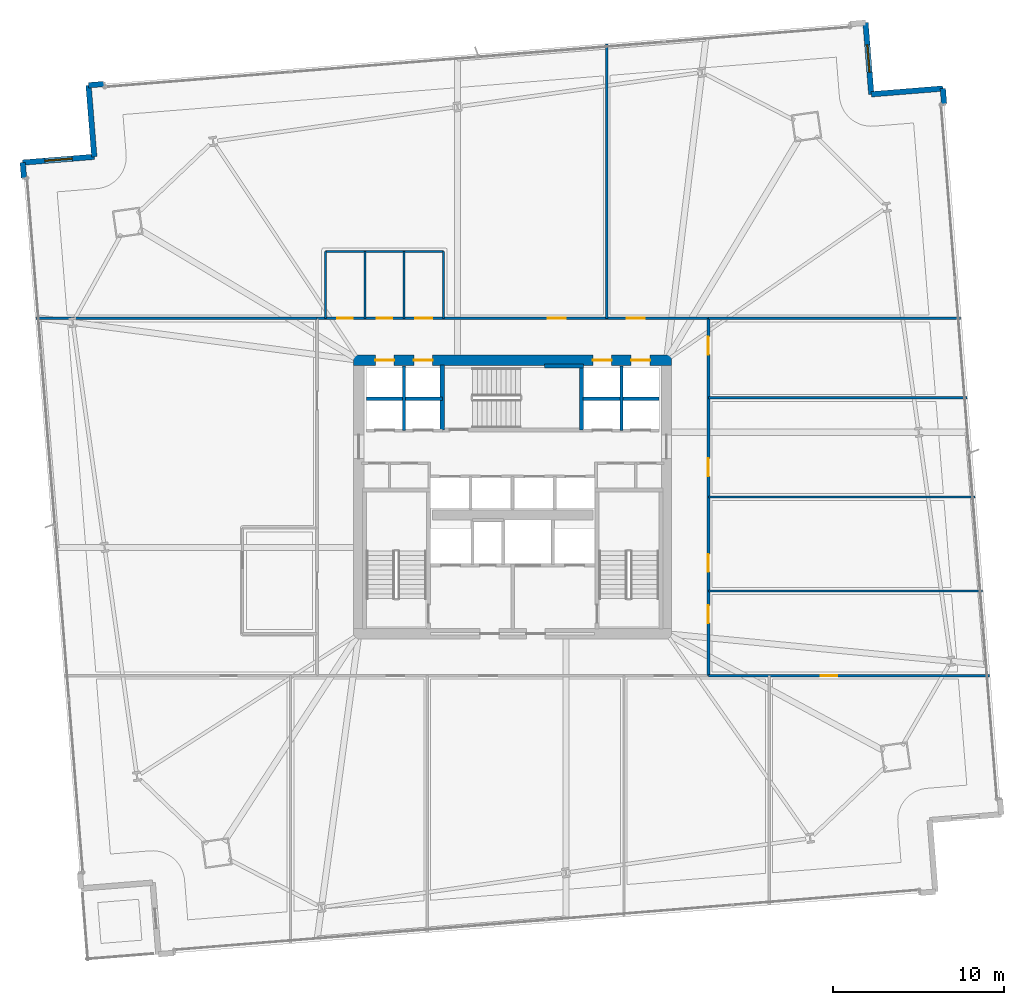
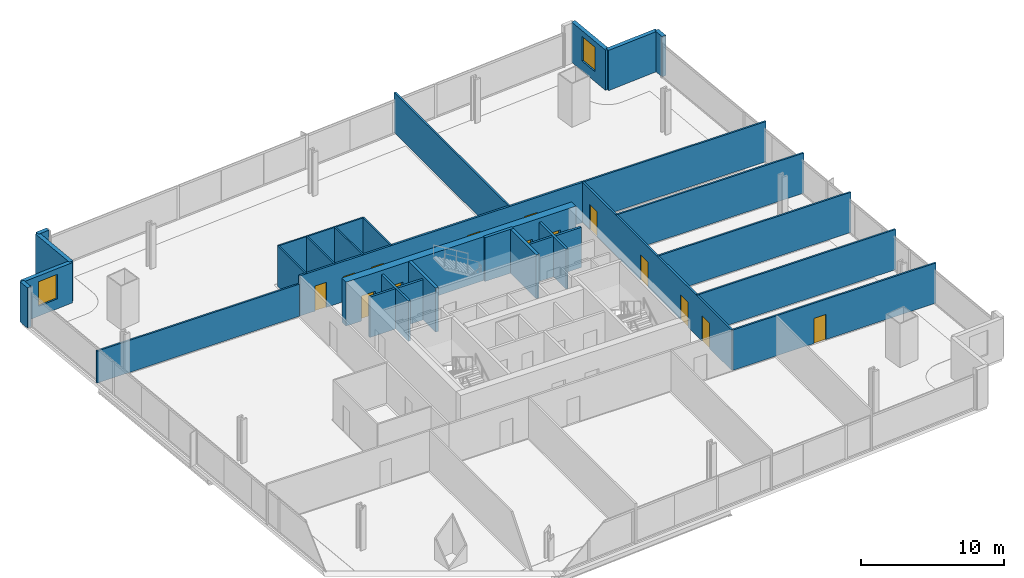
# One storey, part 27 of 33: 29 walls, 14 doors, 2 windows, 16 openings.
"""IFC4 building model written with IfcOpenShell, lengths in metres."""

from ifc_helpers import new_model, si_unit, direction, frame, frame_2d, origin, place, context, subcontext, project, spatial, rectangle, extrude, material, layer, layer_set, type_object, element, fill, save


model = new_model("IFC4")

# Units and contexts
model_context = context("Model", 3, precision=1e-05, world=origin(), true_north=direction((0.0, 1.0)))
body_context = subcontext(model_context, "Body", "Model", "MODEL_VIEW")
ifc_project = project(units=[si_unit("LENGTHUNIT", "METRE"), si_unit("AREAUNIT", "SQUARE_METRE"), si_unit("VOLUMEUNIT", "CUBIC_METRE"), si_unit("PLANEANGLEUNIT", "RADIAN"), si_unit("MASSUNIT", "GRAM", prefix="KILO")], contexts=[model_context])

# Site, building, storey
site_placement = place(None, origin())
site = spatial("IfcSite", under=ifc_project, at=site_placement, CompositionType="ELEMENT")
building_placement = place(site_placement, origin())
building = spatial("IfcBuilding", under=site, at=building_placement, Name="Haldenkirk Collegiate Tower", CompositionType="ELEMENT")
storey_placement = place(building_placement, frame((0.0, 0.0, 43.949951171875)))
storey = spatial("IfcBuildingStorey", under=building, at=storey_placement, Name="L09", CompositionType="ELEMENT", Elevation=43.949951171875)

# Wall, openings, doors
ifc_material_1 = material(Name="Concrete f'c 70 MPa", Category="concrete")
ifc_layer_1 = layer(ifc_material_1, 0.60009765625)
ifc_layer_set_1 = layer_set([ifc_layer_1], Name="Concrete f'c 70 MPa")
wall_type_1 = type_object("IfcWallType", Name="WL-CORE-600", PredefinedType="SHEAR", material=ifc_layer_set_1)
wall_1_placement = place(storey_placement, frame((26.699951171875, 34.0, 0.0), z_axis=(0.0, 0.0, 1.0), x_axis=(1.0, 0.0, 0.0)))
wall_1 = element("IfcWall", 1, at=wall_1_placement, inside=storey, type_object=wall_type_1, Name="L09 central core shear wall N", PredefinedType="SHEAR", context=body_context, shape_type="SweptSolid", body=[
    extrude(rectangle(XDim=18.60009765625, YDim=0.60009765625, at=frame_2d((9.300048828125, 0.0))), origin(), (0.0, 0.0, 1.0), 3.75),
])
opening_1_placement = place(wall_1_placement, frame((1.264892578125, 0.0, 0.0)))
opening_1 = element("IfcOpeningElement", 2, at=opening_1_placement, cuts=wall_1, Name="Opening LD-11", PredefinedType="OPENING", context=body_context, shape_type="SweptSolid", body=[
    extrude(rectangle(XDim=1.10009765625, YDim=2.14990234375, at=frame_2d((0.550048828125, 1.074951171875))), frame((0.0, 0.31005859375, 0.0), z_axis=(0.0, -1.0, 0.0), x_axis=(1.0, 0.0, 0.0)), (0.0, 0.0, 1.0), 0.6201171875),
])
opening_2_placement = place(wall_1_placement, frame((3.514892578125, 0.0, 0.0)))
opening_2 = element("IfcOpeningElement", 3, at=opening_2_placement, cuts=wall_1, Name="Opening LD-11", PredefinedType="OPENING", context=body_context, shape_type="SweptSolid", body=[
    extrude(rectangle(XDim=1.10009765625, YDim=2.14990234375, at=frame_2d((0.550048828125, 1.074951171875))), frame((0.0, 0.31005859375, 0.0), z_axis=(0.0, -1.0, 0.0), x_axis=(1.0, 0.0, 0.0)), (0.0, 0.0, 1.0), 0.6201171875),
])
opening_3_placement = place(wall_1_placement, frame((13.985107421875, 0.0, 0.0)))
opening_3 = element("IfcOpeningElement", 4, at=opening_3_placement, cuts=wall_1, Name="Opening LD-11", PredefinedType="OPENING", context=body_context, shape_type="SweptSolid", body=[
    extrude(rectangle(XDim=1.10009765625, YDim=2.14990234375, at=frame_2d((0.550048828125, 1.074951171875))), frame((0.0, 0.31005859375, 0.0), z_axis=(0.0, -1.0, 0.0), x_axis=(1.0, 0.0, 0.0)), (0.0, 0.0, 1.0), 0.6201171875),
])
opening_4_placement = place(wall_1_placement, frame((16.235107421875, 0.0, 0.0)))
opening_4 = element("IfcOpeningElement", 5, at=opening_4_placement, cuts=wall_1, Name="Opening LD-11", PredefinedType="OPENING", context=body_context, shape_type="SweptSolid", body=[
    extrude(rectangle(XDim=1.10009765625, YDim=2.14990234375, at=frame_2d((0.550048828125, 1.074951171875))), frame((0.0, 0.31005859375, 0.0), z_axis=(0.0, -1.0, 0.0), x_axis=(1.0, 0.0, 0.0)), (0.0, 0.0, 1.0), 0.6201171875),
])
ifc_material_2 = material(Name="Brushed architectural stainless steel", Category="steel")
ifc_layer_2 = layer(ifc_material_2, 0.06005859375)
ifc_layer_set_2 = layer_set([ifc_layer_2], Name="Brushed architectural stainless steel")
door_type_1 = type_object("IfcDoorType", Name="LD-PASS-1100", OperationType="NOTDEFINED", PredefinedType="DOOR", material=ifc_layer_set_2)
door_1_placement = place(opening_1_placement, origin())
door_1 = element("IfcDoor", 6, at=door_1_placement, inside=storey, type_object=door_type_1, Name="L09 Elevator PL3 sliding landing door", OperationType="SLIDING_TO_LEFT", OverallHeight=2.14990234375, OverallWidth=1.10009765625, PredefinedType="DOOR", context=body_context, shape_type="SweptSolid", body=[
    extrude(rectangle(XDim=1.10009765625, YDim=2.14990234375, at=frame_2d((0.550048828125, 1.074951171875))), frame((0.0, 0.02490234375, 0.0), z_axis=(0.0, -1.0, 0.0), x_axis=(1.0, 0.0, 0.0)), (0.0, 0.0, 1.0), 0.050048828125),
])
fill(opening_1, door_1)
door_2_placement = place(opening_2_placement, origin())
door_2 = element("IfcDoor", 7, at=door_2_placement, inside=storey, type_object=door_type_1, Name="L09 Elevator PL4 sliding landing door", OperationType="SLIDING_TO_LEFT", OverallHeight=2.14990234375, OverallWidth=1.10009765625, PredefinedType="DOOR", context=body_context, shape_type="SweptSolid", body=[
    extrude(rectangle(XDim=1.10009765625, YDim=2.14990234375, at=frame_2d((0.550048828125, 1.074951171875))), frame((0.0, 0.02490234375, 0.0), z_axis=(0.0, -1.0, 0.0), x_axis=(1.0, 0.0, 0.0)), (0.0, 0.0, 1.0), 0.050048828125),
])
fill(opening_2, door_2)
door_3_placement = place(opening_3_placement, origin())
door_3 = element("IfcDoor", 8, at=door_3_placement, inside=storey, type_object=door_type_1, Name="L09 Elevator PM3 sliding landing door", OperationType="SLIDING_TO_LEFT", OverallHeight=2.14990234375, OverallWidth=1.10009765625, PredefinedType="DOOR", context=body_context, shape_type="SweptSolid", body=[
    extrude(rectangle(XDim=1.10009765625, YDim=2.14990234375, at=frame_2d((0.550048828125, 1.074951171875))), frame((0.0, 0.02490234375, 0.0), z_axis=(0.0, -1.0, 0.0), x_axis=(1.0, 0.0, 0.0)), (0.0, 0.0, 1.0), 0.050048828125),
])
fill(opening_3, door_3)
door_4_placement = place(opening_4_placement, origin())
door_4 = element("IfcDoor", 9, at=door_4_placement, inside=storey, type_object=door_type_1, Name="L09 Elevator PM4 sliding landing door", OperationType="SLIDING_TO_LEFT", OverallHeight=2.14990234375, OverallWidth=1.10009765625, PredefinedType="DOOR", context=body_context, shape_type="SweptSolid", body=[
    extrude(rectangle(XDim=1.10009765625, YDim=2.14990234375, at=frame_2d((0.550048828125, 1.074951171875))), frame((0.0, 0.02490234375, 0.0), z_axis=(0.0, -1.0, 0.0), x_axis=(1.0, 0.0, 0.0)), (0.0, 0.0, 1.0), 0.050048828125),
])
fill(opening_4, door_4)

# Walls
ifc_material_3 = material(Name="Precast concrete f'c 40 MPa", Category="concrete")
ifc_layer_3 = layer(ifc_material_3, 0.320068359375)
ifc_layer_set_3 = layer_set([ifc_layer_3], Name="Precast concrete f'c 40 MPa")
wall_type_2 = type_object("IfcWallType", Name="WL-EXT-TWR-320", PredefinedType="STANDARD", material=ifc_layer_set_3)
wall_2_placement = place(storey_placement, frame((61.164794921875, 49.895263671875, 0.0), z_axis=(0.0, 0.0, 1.0), x_axis=(0.08001473087, -0.996793681182, 0.0)))
element("IfcWall", 10, at=wall_2_placement, inside=storey, type_object=wall_type_2, Name="L09 precast corner pier EL", PredefinedType="STANDARD", context=body_context, shape_type="SweptSolid", body=[
    extrude(rectangle(XDim=0.900146484375, YDim=0.320068359375, at=frame_2d((0.4501953125, 0.0))), origin(), (0.0, 0.0, 1.0), 3.43994140625),
])
wall_3_placement = place(storey_placement, frame((56.978271484375, 49.558349609375, 0.0), z_axis=(0.0, 0.0, 1.0), x_axis=(0.996777462523, 0.080216520777, 0.0)))
element("IfcWall", 11, at=wall_3_placement, inside=storey, type_object=wall_type_2, Name="L09 bronze precast notch wall 05", PredefinedType="STANDARD", context=body_context, shape_type="SweptSolid", body=[
    extrude(rectangle(XDim=4.199951171875, YDim=0.320068359375, at=frame_2d((2.10009765625, 0.0))), origin(), (0.0, 0.0, 1.0), 3.43994140625),
])

# Wall, opening, window
wall_4_placement = place(storey_placement, frame((56.641357421875, 53.744873046875, 0.0), z_axis=(0.0, 0.0, 1.0), x_axis=(0.080216520777, -0.996777462523, 0.0)))
wall_4 = element("IfcWall", 12, at=wall_4_placement, inside=storey, type_object=wall_type_2, Name="L09 bronze precast notch wall 06", PredefinedType="STANDARD", context=body_context, shape_type="SweptSolid", body=[
    extrude(rectangle(XDim=4.199951171875, YDim=0.320068359375, at=frame_2d((2.10009765625, 0.0))), origin(), (0.0, 0.0, 1.0), 3.43994140625),
])
opening_5_placement = place(wall_4_placement, frame((1.300048828125, 0.0, 0.85009765625)))
opening_5 = element("IfcOpeningElement", 13, at=opening_5_placement, cuts=wall_4, Name="Opening W-03", PredefinedType="OPENING", context=body_context, shape_type="SweptSolid", body=[
    extrude(rectangle(XDim=1.60009765625, YDim=2.10009765625, at=frame_2d((0.800048828125, 1.050048828125))), frame((0.0, 0.169921875, 0.0), z_axis=(0.0, -1.0, 0.0), x_axis=(1.0, 0.0, 0.0)), (0.0, 0.0, 1.0), 0.340087890625),
])
ifc_material_4 = material(Name="Low-E argon triple insulating glass", Category="glass")
ifc_layer_4 = layer(ifc_material_4, 0.090087890625)
ifc_layer_set_4 = layer_set([ifc_layer_4], Name="Low-E argon triple insulating glass")
window_type = type_object("IfcWindowType", Name="WN-Z1-1600X2100", PartitioningType="SINGLE_PANEL", PredefinedType="WINDOW", material=ifc_layer_set_4)
window_1_placement = place(opening_5_placement, origin())
window_1 = element("IfcWindow", 14, at=window_1_placement, inside=storey, type_object=window_type, Name="L09 precast-frame academic window 5", OverallHeight=2.10009765625, OverallWidth=1.60009765625, PartitioningType="SINGLE_PANEL", PredefinedType="WINDOW", context=body_context, shape_type="SweptSolid", body=[
    extrude(rectangle(XDim=1.60009765625, YDim=2.10009765625, at=frame_2d((0.800048828125, 1.050048828125))), frame((0.0, 0.030029296875, 0.0), z_axis=(0.0, -1.0, 0.0), x_axis=(1.0, 0.0, 0.0)), (0.0, 0.0, 1.0), 0.06005859375),
])
fill(opening_5, window_1)

# Walls
wall_5_placement = place(storey_placement, frame((11.188232421875, 50.087646484375, 0.0), z_axis=(0.0, 0.0, 1.0), x_axis=(0.996772011902, 0.080284221911, 0.0)))
element("IfcWall", 15, at=wall_5_placement, inside=storey, type_object=wall_type_2, Name="L09 precast corner pier NL", PredefinedType="STANDARD", context=body_context, shape_type="SweptSolid", body=[
    extrude(rectangle(XDim=0.900146484375, YDim=0.320068359375, at=frame_2d((0.4501953125, 0.0))), origin(), (0.0, 0.0, 1.0), 3.43994140625),
])
wall_6_placement = place(storey_placement, frame((11.525146484375, 45.901123046875, 0.0), z_axis=(0.0, 0.0, 1.0), x_axis=(-0.080216520777, 0.996777462523, 0.0)))
element("IfcWall", 16, at=wall_6_placement, inside=storey, type_object=wall_type_2, Name="L09 bronze precast notch wall 08", PredefinedType="STANDARD", context=body_context, shape_type="SweptSolid", body=[
    extrude(rectangle(XDim=4.199951171875, YDim=0.320068359375, at=frame_2d((2.10009765625, 0.0))), origin(), (0.0, 0.0, 1.0), 3.43994140625),
])

# Wall, opening, window
wall_7_placement = place(storey_placement, frame((7.338623046875, 45.564453125, 0.0), z_axis=(0.0, 0.0, 1.0), x_axis=(0.996782108665, 0.080158766495, 0.0)))
wall_7 = element("IfcWall", 17, at=wall_7_placement, inside=storey, type_object=wall_type_2, Name="L09 bronze precast notch wall 09", PredefinedType="STANDARD", context=body_context, shape_type="SweptSolid", body=[
    extrude(rectangle(XDim=4.199951171875, YDim=0.320068359375, at=frame_2d((2.10009765625, 0.0))), origin(), (0.0, 0.0, 1.0), 3.43994140625),
])
opening_6_placement = place(wall_7_placement, frame((1.300048828125, 0.0, 0.85009765625)))
opening_6 = element("IfcOpeningElement", 18, at=opening_6_placement, cuts=wall_7, Name="Opening W-03", PredefinedType="OPENING", context=body_context, shape_type="SweptSolid", body=[
    extrude(rectangle(XDim=1.60009765625, YDim=2.10009765625, at=frame_2d((0.800048828125, 1.050048828125))), frame((0.0, 0.169921875, 0.0), z_axis=(0.0, -1.0, 0.0), x_axis=(1.0, 0.0, 0.0)), (0.0, 0.0, 1.0), 0.340087890625),
])
window_2_placement = place(opening_6_placement, origin())
window_2 = element("IfcWindow", 19, at=window_2_placement, inside=storey, type_object=window_type, Name="L09 precast-frame academic window 8", OverallHeight=2.10009765625, OverallWidth=1.60009765625, PartitioningType="SINGLE_PANEL", PredefinedType="WINDOW", context=body_context, shape_type="SweptSolid", body=[
    extrude(rectangle(XDim=1.60009765625, YDim=2.10009765625, at=frame_2d((0.800048828125, 1.050048828125))), frame((0.0, 0.030029296875, 0.0), z_axis=(0.0, -1.0, 0.0), x_axis=(1.0, 0.0, 0.0)), (0.0, 0.0, 1.0), 0.06005859375),
])
fill(opening_6, window_2)

# Wall
wall_8_placement = place(storey_placement, frame((7.410888671875, 44.667236328125, 0.0), z_axis=(0.0, 0.0, 1.0), x_axis=(-0.080284221911, 0.996772011902, 0.0)))
element("IfcWall", 20, at=wall_8_placement, inside=storey, type_object=wall_type_2, Name="L09 precast corner pier WR", PredefinedType="STANDARD", context=body_context, shape_type="SweptSolid", body=[
    extrude(rectangle(XDim=0.900146484375, YDim=0.320068359375, at=frame_2d((0.4501953125, 0.0))), origin(), (0.0, 0.0, 1.0), 3.43994140625),
])

# Wall, openings, doors
ifc_material_5 = material(Name="Acoustic fire-rated gypsum partition", Category="concrete")
ifc_layer_5 = layer(ifc_material_5, 0.159912109375)
ifc_layer_set_5 = layer_set([ifc_layer_5], Name="Acoustic fire-rated gypsum partition")
wall_type_3 = type_object("IfcWallType", Name="WL-INT-CORR-160", PredefinedType="PARTITIONING", material=ifc_layer_set_5)
wall_9_placement = place(storey_placement, frame((24.5, 36.449951171875, 0.0), z_axis=(0.0, 0.0, 1.0), x_axis=(1.0, 0.0, 0.0)))
wall_9 = element("IfcWall", 21, at=wall_9_placement, inside=storey, type_object=wall_type_3, Name="L09 interior partition IW-L09-CN", PredefinedType="PARTITIONING", context=body_context, shape_type="SweptSolid", body=[
    extrude(rectangle(XDim=23.0, YDim=0.159912109375, at=frame_2d((11.5, 0.0))), origin(), (0.0, 0.0, 1.0), 3.43994140625),
])
opening_7_placement = place(wall_9_placement, frame((1.25, 0.0, 0.0)))
opening_7 = element("IfcOpeningElement", 22, at=opening_7_placement, cuts=wall_9, Name="Opening D-13", PredefinedType="OPENING", context=body_context, shape_type="SweptSolid", body=[
    extrude(rectangle(XDim=0.89990234375, YDim=2.14990234375, at=frame_2d((0.449951171875, 1.074951171875))), frame((0.0, 0.08984375, 0.0), z_axis=(0.0, -1.0, 0.0), x_axis=(1.0, 0.0, 0.0)), (0.0, 0.0, 1.0), 0.179931640625),
])
opening_8_placement = place(wall_9_placement, frame((3.550048828125, 0.0, 0.0)))
opening_8 = element("IfcOpeningElement", 23, at=opening_8_placement, cuts=wall_9, Name="Opening D-13", PredefinedType="OPENING", context=body_context, shape_type="SweptSolid", body=[
    extrude(rectangle(XDim=0.89990234375, YDim=2.14990234375, at=frame_2d((0.449951171875, 1.074951171875))), frame((0.0, 0.08984375, 0.0), z_axis=(0.0, -1.0, 0.0), x_axis=(1.0, 0.0, 0.0)), (0.0, 0.0, 1.0), 0.179931640625),
])
opening_9_placement = place(wall_9_placement, frame((5.800048828125, 0.0, 0.0)))
opening_9 = element("IfcOpeningElement", 24, at=opening_9_placement, cuts=wall_9, Name="Opening D-14", PredefinedType="OPENING", context=body_context, shape_type="SweptSolid", body=[
    extrude(rectangle(XDim=1.0, YDim=2.14990234375, at=frame_2d((0.5, 1.074951171875))), frame((0.0, 0.08984375, 0.0), z_axis=(0.0, -1.0, 0.0), x_axis=(1.0, 0.0, 0.0)), (0.0, 0.0, 1.0), 0.179931640625),
])
opening_10_placement = place(wall_9_placement, frame((13.544921875, 0.0, 0.0)))
opening_10 = element("IfcOpeningElement", 25, at=opening_10_placement, cuts=wall_9, Name="Opening D-09", PredefinedType="OPENING", context=body_context, shape_type="SweptSolid", body=[
    extrude(rectangle(XDim=1.050048828125, YDim=2.14990234375, at=frame_2d((0.52490234375, 1.074951171875))), frame((0.0, 0.08984375, 0.0), z_axis=(0.0, -1.0, 0.0), x_axis=(1.0, 0.0, 0.0)), (0.0, 0.0, 1.0), 0.179931640625),
])
opening_11_placement = place(wall_9_placement, frame((18.1689453125, 0.0, 0.0)))
opening_11 = element("IfcOpeningElement", 26, at=opening_11_placement, cuts=wall_9, Name="Opening D-09", PredefinedType="OPENING", context=body_context, shape_type="SweptSolid", body=[
    extrude(rectangle(XDim=1.050048828125, YDim=2.14990234375, at=frame_2d((0.52490234375, 1.074951171875))), frame((0.0, 0.08984375, 0.0), z_axis=(0.0, -1.0, 0.0), x_axis=(1.0, 0.0, 0.0)), (0.0, 0.0, 1.0), 0.179931640625),
])
ifc_material_6 = material(Name="Solid-core architectural oak fire door", Category="wood")
ifc_layer_6 = layer(ifc_material_6, 0.06005859375)
ifc_layer_set_6 = layer_set([ifc_layer_6], Name="Solid-core architectural oak fire door")
door_type_2 = type_object("IfcDoorType", Name="DR-INT-ACC-1000", OperationType="NOTDEFINED", PredefinedType="DOOR", material=ifc_layer_set_6)
door_5_placement = place(opening_9_placement, origin())
door_5 = element("IfcDoor", 27, at=door_5_placement, inside=storey, type_object=door_type_2, Name="L09 Accessible WC door", OperationType="SINGLE_SWING_RIGHT", OverallHeight=2.14990234375, OverallWidth=1.0, PredefinedType="DOOR", context=body_context, shape_type="SweptSolid", body=[
    extrude(rectangle(XDim=1.0, YDim=2.14990234375, at=frame_2d((0.5, 1.074951171875))), frame((0.0, 0.02490234375, 0.0), z_axis=(0.0, -1.0, 0.0), x_axis=(1.0, 0.0, 0.0)), (0.0, 0.0, 1.0), 0.050048828125),
])
fill(opening_9, door_5)
ifc_layer_7 = layer(ifc_material_6, 0.06005859375)
ifc_layer_set_7 = layer_set([ifc_layer_7], Name="Solid-core architectural oak fire door")
door_type_3 = type_object("IfcDoorType", Name="DR-INT-FD60-1050", OperationType="NOTDEFINED", PredefinedType="DOOR", material=ifc_layer_set_7)
door_6_placement = place(opening_10_placement, origin())
door_6 = element("IfcDoor", 28, at=door_6_placement, inside=storey, type_object=door_type_3, Name="L09 Bioengineering Laboratory 6 door", OperationType="SINGLE_SWING_RIGHT", OverallHeight=2.14990234375, OverallWidth=1.050048828125, PredefinedType="DOOR", context=body_context, shape_type="SweptSolid", body=[
    extrude(rectangle(XDim=1.050048828125, YDim=2.14990234375, at=frame_2d((0.52490234375, 1.074951171875))), frame((0.0, 0.02490234375, 0.0), z_axis=(0.0, -1.0, 0.0), x_axis=(1.0, 0.0, 0.0)), (0.0, 0.0, 1.0), 0.050048828125),
])
fill(opening_10, door_6)
door_7_placement = place(opening_11_placement, origin())
door_7 = element("IfcDoor", 29, at=door_7_placement, inside=storey, type_object=door_type_3, Name="L09 Wet Science Laboratory 7 door", OperationType="SINGLE_SWING_LEFT", OverallHeight=2.14990234375, OverallWidth=1.050048828125, PredefinedType="DOOR", context=body_context, shape_type="SweptSolid", body=[
    extrude(rectangle(XDim=1.050048828125, YDim=2.14990234375, at=frame_2d((0.52490234375, 1.074951171875))), frame((0.0, 0.02490234375, 0.0), z_axis=(0.0, -1.0, 0.0), x_axis=(1.0, 0.0, 0.0)), (0.0, 0.0, 1.0), 0.050048828125),
])
fill(opening_11, door_7)
ifc_layer_8 = layer(ifc_material_6, 0.06005859375)
ifc_layer_set_8 = layer_set([ifc_layer_8], Name="Solid-core architectural oak fire door")
door_type_4 = type_object("IfcDoorType", Name="DR-INT-STD-900", OperationType="NOTDEFINED", PredefinedType="DOOR", material=ifc_layer_set_8)
door_8_placement = place(opening_7_placement, origin())
door_8 = element("IfcDoor", 30, at=door_8_placement, inside=storey, type_object=door_type_4, Name="L09 Male WC door", OperationType="SINGLE_SWING_RIGHT", OverallHeight=2.14990234375, OverallWidth=0.89990234375, PredefinedType="DOOR", context=body_context, shape_type="SweptSolid", body=[
    extrude(rectangle(XDim=0.89990234375, YDim=2.14990234375, at=frame_2d((0.449951171875, 1.074951171875))), frame((0.0, 0.02490234375, 0.0), z_axis=(0.0, -1.0, 0.0), x_axis=(1.0, 0.0, 0.0)), (0.0, 0.0, 1.0), 0.050048828125),
])
fill(opening_7, door_8)
door_9_placement = place(opening_8_placement, origin())
door_9 = element("IfcDoor", 31, at=door_9_placement, inside=storey, type_object=door_type_4, Name="L09 Female WC door", OperationType="SINGLE_SWING_LEFT", OverallHeight=2.14990234375, OverallWidth=0.89990234375, PredefinedType="DOOR", context=body_context, shape_type="SweptSolid", body=[
    extrude(rectangle(XDim=0.89990234375, YDim=2.14990234375, at=frame_2d((0.449951171875, 1.074951171875))), frame((0.0, 0.02490234375, 0.0), z_axis=(0.0, -1.0, 0.0), x_axis=(1.0, 0.0, 0.0)), (0.0, 0.0, 1.0), 0.050048828125),
])
fill(opening_8, door_9)

wall_10_placement = place(storey_placement, frame((47.449951171875, 15.550048828125, 0.0), z_axis=(0.0, 0.0, 1.0), x_axis=(0.0, 1.0, 0.0)))
wall_10 = element("IfcWall", 32, at=wall_10_placement, inside=storey, type_object=wall_type_3, Name="L09 interior partition IW-L09-CE", PredefinedType="PARTITIONING", context=body_context, shape_type="SweptSolid", body=[
    extrude(rectangle(XDim=20.89990234375, YDim=0.159912109375, at=frame_2d((10.449951171875, 0.0))), origin(), (0.0, 0.0, 1.0), 3.43994140625),
])
opening_12_placement = place(wall_10_placement, frame((3.06689453125, 0.0, 0.0)))
opening_12 = element("IfcOpeningElement", 33, at=opening_12_placement, cuts=wall_10, Name="Opening D-09", PredefinedType="OPENING", context=body_context, shape_type="SweptSolid", body=[
    extrude(rectangle(XDim=1.050048828125, YDim=2.14990234375, at=frame_2d((0.52490234375, 1.074951171875))), frame((0.0, 0.08984375, 0.0), z_axis=(0.0, -1.0, 0.0), x_axis=(1.0, 0.0, 0.0)), (0.0, 0.0, 1.0), 0.179931640625),
])
opening_13_placement = place(wall_10_placement, frame((6.06494140625, 0.0, 0.0)))
opening_13 = element("IfcOpeningElement", 34, at=opening_13_placement, cuts=wall_10, Name="Opening D-09", PredefinedType="OPENING", context=body_context, shape_type="SweptSolid", body=[
    extrude(rectangle(XDim=1.050048828125, YDim=2.14990234375, at=frame_2d((0.52490234375, 1.074951171875))), frame((0.0, 0.08984375, 0.0), z_axis=(0.0, -1.0, 0.0), x_axis=(1.0, 0.0, 0.0)), (0.0, 0.0, 1.0), 0.179931640625),
])
opening_14_placement = place(wall_10_placement, frame((11.660888671875, 0.0, 0.0)))
opening_14 = element("IfcOpeningElement", 35, at=opening_14_placement, cuts=wall_10, Name="Opening D-09", PredefinedType="OPENING", context=body_context, shape_type="SweptSolid", body=[
    extrude(rectangle(XDim=1.050048828125, YDim=2.14990234375, at=frame_2d((0.52490234375, 1.074951171875))), frame((0.0, 0.08984375, 0.0), z_axis=(0.0, -1.0, 0.0), x_axis=(1.0, 0.0, 0.0)), (0.0, 0.0, 1.0), 0.179931640625),
])
opening_15_placement = place(wall_10_placement, frame((18.781005859375, 0.0, 0.0)))
opening_15 = element("IfcOpeningElement", 36, at=opening_15_placement, cuts=wall_10, Name="Opening D-09", PredefinedType="OPENING", context=body_context, shape_type="SweptSolid", body=[
    extrude(rectangle(XDim=1.050048828125, YDim=2.14990234375, at=frame_2d((0.52490234375, 1.074951171875))), frame((0.0, 0.08984375, 0.0), z_axis=(0.0, -1.0, 0.0), x_axis=(1.0, 0.0, 0.0)), (0.0, 0.0, 1.0), 0.179931640625),
])
door_10_placement = place(opening_12_placement, origin())
door_10 = element("IfcDoor", 37, at=door_10_placement, inside=storey, type_object=door_type_3, Name="L09 Robotics Fabrication Lab 9 door", OperationType="SINGLE_SWING_LEFT", OverallHeight=2.14990234375, OverallWidth=1.050048828125, PredefinedType="DOOR", context=body_context, shape_type="SweptSolid", body=[
    extrude(rectangle(XDim=1.050048828125, YDim=2.14990234375, at=frame_2d((0.52490234375, 1.074951171875))), frame((0.0, 0.02490234375, 0.0), z_axis=(0.0, -1.0, 0.0), x_axis=(1.0, 0.0, 0.0)), (0.0, 0.0, 1.0), 0.050048828125),
])
fill(opening_12, door_10)
door_11_placement = place(opening_13_placement, origin())
door_11 = element("IfcDoor", 38, at=door_11_placement, inside=storey, type_object=door_type_3, Name="L09 Environmental Lab 10 door", OperationType="SINGLE_SWING_RIGHT", OverallHeight=2.14990234375, OverallWidth=1.050048828125, PredefinedType="DOOR", context=body_context, shape_type="SweptSolid", body=[
    extrude(rectangle(XDim=1.050048828125, YDim=2.14990234375, at=frame_2d((0.52490234375, 1.074951171875))), frame((0.0, 0.02490234375, 0.0), z_axis=(0.0, -1.0, 0.0), x_axis=(1.0, 0.0, 0.0)), (0.0, 0.0, 1.0), 0.050048828125),
])
fill(opening_13, door_11)
door_12_placement = place(opening_14_placement, origin())
door_12 = element("IfcDoor", 39, at=door_12_placement, inside=storey, type_object=door_type_3, Name="L09 Optics Research Laboratory 11 door", OperationType="SINGLE_SWING_LEFT", OverallHeight=2.14990234375, OverallWidth=1.050048828125, PredefinedType="DOOR", context=body_context, shape_type="SweptSolid", body=[
    extrude(rectangle(XDim=1.050048828125, YDim=2.14990234375, at=frame_2d((0.52490234375, 1.074951171875))), frame((0.0, 0.02490234375, 0.0), z_axis=(0.0, -1.0, 0.0), x_axis=(1.0, 0.0, 0.0)), (0.0, 0.0, 1.0), 0.050048828125),
])
fill(opening_14, door_12)
door_13_placement = place(opening_15_placement, origin())
door_13 = element("IfcDoor", 40, at=door_13_placement, inside=storey, type_object=door_type_3, Name="L09 Bioengineering Laboratory 12 door", OperationType="SINGLE_SWING_RIGHT", OverallHeight=2.14990234375, OverallWidth=1.050048828125, PredefinedType="DOOR", context=body_context, shape_type="SweptSolid", body=[
    extrude(rectangle(XDim=1.050048828125, YDim=2.14990234375, at=frame_2d((0.52490234375, 1.074951171875))), frame((0.0, 0.02490234375, 0.0), z_axis=(0.0, -1.0, 0.0), x_axis=(1.0, 0.0, 0.0)), (0.0, 0.0, 1.0), 0.050048828125),
])
fill(opening_15, door_13)

# Wall
ifc_layer_9 = layer(ifc_material_5, 0.139892578125)
ifc_layer_set_9 = layer_set([ifc_layer_9], Name="Acoustic fire-rated gypsum partition")
wall_type_4 = type_object("IfcWallType", Name="WL-INT-DIV-140", PredefinedType="PARTITIONING", material=ifc_layer_set_9)
wall_11_placement = place(storey_placement, frame((8.112060546875, 36.449951171875, 0.0), z_axis=(0.0, 0.0, 1.0), x_axis=(1.0, 0.0, 0.0)))
element("IfcWall", 41, at=wall_11_placement, inside=storey, type_object=wall_type_4, Name="L09 interior partition IW-L09-BWN", PredefinedType="PARTITIONING", context=body_context, shape_type="SweptSolid", body=[
    extrude(rectangle(XDim=16.43798828125, YDim=0.139892578125, at=frame_2d((8.218994140625, 0.0))), origin(), (0.0, 0.0, 1.0), 2.739013671875),
])

# Wall, opening, door
wall_12_placement = place(storey_placement, frame((47.449951171875, 15.550048828125, 0.0), z_axis=(0.0, 0.0, 1.0), x_axis=(1.0, 0.0, 0.0)))
wall_12 = element("IfcWall", 42, at=wall_12_placement, inside=storey, type_object=wall_type_4, Name="L09 interior partition IW-L09-BES", PredefinedType="PARTITIONING", context=body_context, shape_type="SweptSolid", body=[
    extrude(rectangle(XDim=16.43798828125, YDim=0.139892578125, at=frame_2d((8.218994140625, 0.0))), origin(), (0.0, 0.0, 1.0), 3.43994140625),
])
opening_16_placement = place(wall_12_placement, frame((6.583984375, 0.0, 0.0)))
opening_16 = element("IfcOpeningElement", 43, at=opening_16_placement, cuts=wall_12, Name="Opening D-12", PredefinedType="OPENING", context=body_context, shape_type="SweptSolid", body=[
    extrude(rectangle(XDim=0.949951171875, YDim=2.14990234375, at=frame_2d((0.47509765625, 1.074951171875))), frame((0.0, 0.079833984375, 0.0), z_axis=(0.0, -1.0, 0.0), x_axis=(1.0, 0.0, 0.0)), (0.0, 0.0, 1.0), 0.159912109375),
])
ifc_layer_10 = layer(ifc_material_6, 0.06005859375)
ifc_layer_set_10 = layer_set([ifc_layer_10], Name="Solid-core architectural oak fire door")
door_type_5 = type_object("IfcDoorType", Name="DR-INT-STD-950", OperationType="NOTDEFINED", PredefinedType="DOOR", material=ifc_layer_set_10)
door_14_placement = place(opening_16_placement, origin())
door_14 = element("IfcDoor", 44, at=door_14_placement, inside=storey, type_object=door_type_5, Name="L09 Optics Research Laboratory 5 door", OperationType="SINGLE_SWING_LEFT", OverallHeight=2.14990234375, OverallWidth=0.949951171875, PredefinedType="DOOR", context=body_context, shape_type="SweptSolid", body=[
    extrude(rectangle(XDim=0.949951171875, YDim=2.14990234375, at=frame_2d((0.47509765625, 1.074951171875))), frame((0.0, 0.02490234375, 0.0), z_axis=(0.0, -1.0, 0.0), x_axis=(1.0, 0.0, 0.0)), (0.0, 0.0, 1.0), 0.050048828125),
])
fill(opening_16, door_14)

# Walls
wall_13_placement = place(storey_placement, frame((47.449951171875, 36.449951171875, 0.0), z_axis=(0.0, 0.0, 1.0), x_axis=(1.0, 0.0, 0.0)))
element("IfcWall", 45, at=wall_13_placement, inside=storey, type_object=wall_type_4, Name="L09 interior partition IW-L09-BEN", PredefinedType="PARTITIONING", context=body_context, shape_type="SweptSolid", body=[
    extrude(rectangle(XDim=14.75634765625, YDim=0.139892578125, at=frame_2d((7.378173828125, 0.0))), origin(), (0.0, 0.0, 1.0), 3.43994140625),
])
wall_14_placement = place(storey_placement, frame((41.5, 36.449951171875, 0.0), z_axis=(0.0, 0.0, 1.0), x_axis=(0.0, 1.0, 0.0)))
element("IfcWall", 46, at=wall_14_placement, inside=storey, type_object=wall_type_4, Name="L09 interior partition IW-L09-RN1", PredefinedType="PARTITIONING", context=body_context, shape_type="SweptSolid", body=[
    extrude(rectangle(XDim=16.036376953125, YDim=0.139892578125, at=frame_2d((8.01806640625, 0.0))), origin(), (0.0, 0.0, 1.0), 3.43994140625),
])
wall_15_placement = place(storey_placement, frame((47.449951171875, 20.5, 0.0), z_axis=(0.0, 0.0, 1.0), x_axis=(1.0, 0.0, 0.0)))
element("IfcWall", 47, at=wall_15_placement, inside=storey, type_object=wall_type_4, Name="L09 interior partition IW-L09-RE1", PredefinedType="PARTITIONING", context=body_context, shape_type="SweptSolid", body=[
    extrude(rectangle(XDim=16.039794921875, YDim=0.139892578125, at=frame_2d((8.02001953125, 0.0))), origin(), (0.0, 0.0, 1.0), 3.43994140625),
])
wall_16_placement = place(storey_placement, frame((47.449951171875, 26.0, 0.0), z_axis=(0.0, 0.0, 1.0), x_axis=(1.0, 0.0, 0.0)))
element("IfcWall", 48, at=wall_16_placement, inside=storey, type_object=wall_type_4, Name="L09 interior partition IW-L09-RE2", PredefinedType="PARTITIONING", context=body_context, shape_type="SweptSolid", body=[
    extrude(rectangle(XDim=15.59716796875, YDim=0.139892578125, at=frame_2d((7.798583984375, 0.0))), origin(), (0.0, 0.0, 1.0), 3.43994140625),
])
wall_17_placement = place(storey_placement, frame((47.449951171875, 31.800048828125, 0.0), z_axis=(0.0, 0.0, 1.0), x_axis=(1.0, 0.0, 0.0)))
element("IfcWall", 49, at=wall_17_placement, inside=storey, type_object=wall_type_4, Name="L09 interior partition IW-L09-RE3", PredefinedType="PARTITIONING", context=body_context, shape_type="SweptSolid", body=[
    extrude(rectangle(XDim=15.130615234375, YDim=0.139892578125, at=frame_2d((7.5654296875, 0.0))), origin(), (0.0, 0.0, 1.0), 3.43994140625),
])
ifc_material_7 = material(Name="Fire-rated gypsum shaftboard assembly", Category="concrete")
ifc_layer_11 = layer(ifc_material_7, 0.179931640625)
ifc_layer_set_11 = layer_set([ifc_layer_11], Name="Fire-rated gypsum shaftboard assembly")
wall_type_5 = type_object("IfcWallType", Name="WL-INT-SHAFT-180", PredefinedType="PARTITIONING", material=ifc_layer_set_11)
wall_18_placement = place(storey_placement, frame((27.449951171875, 31.75, 0.0), z_axis=(0.0, 0.0, 1.0), x_axis=(1.0, 0.0, 0.0)))
element("IfcWall", 50, at=wall_18_placement, inside=storey, type_object=wall_type_5, Name="L09 interior partition IW-L09-PLM", PredefinedType="PARTITIONING", context=body_context, shape_type="SweptSolid", body=[
    extrude(rectangle(XDim=4.429931640625, YDim=0.179931640625, at=frame_2d((2.21484375, 0.0))), origin(), (0.0, 0.0, 1.0), 3.43994140625),
])
wall_19_placement = place(storey_placement, frame((29.6298828125, 29.89990234375, 0.0), z_axis=(0.0, 0.0, 1.0), x_axis=(0.0, 1.0, 0.0)))
element("IfcWall", 51, at=wall_19_placement, inside=storey, type_object=wall_type_5, Name="L09 interior partition IW-L09-PLV", PredefinedType="PARTITIONING", context=body_context, shape_type="SweptSolid", body=[
    extrude(rectangle(XDim=3.75, YDim=0.179931640625, at=frame_2d((1.875, 0.0))), origin(), (0.0, 0.0, 1.0), 3.43994140625),
])
wall_20_placement = place(storey_placement, frame((40.1201171875, 31.75, 0.0), z_axis=(0.0, 0.0, 1.0), x_axis=(1.0, 0.0, 0.0)))
element("IfcWall", 52, at=wall_20_placement, inside=storey, type_object=wall_type_5, Name="L09 interior partition IW-L09-PMM", PredefinedType="PARTITIONING", context=body_context, shape_type="SweptSolid", body=[
    extrude(rectangle(XDim=4.429931640625, YDim=0.179931640625, at=frame_2d((2.21484375, 0.0))), origin(), (0.0, 0.0, 1.0), 3.43994140625),
])
wall_21_placement = place(storey_placement, frame((42.3701171875, 29.89990234375, 0.0), z_axis=(0.0, 0.0, 1.0), x_axis=(0.0, 1.0, 0.0)))
element("IfcWall", 53, at=wall_21_placement, inside=storey, type_object=wall_type_5, Name="L09 interior partition IW-L09-PMV", PredefinedType="PARTITIONING", context=body_context, shape_type="SweptSolid", body=[
    extrude(rectangle(XDim=3.75, YDim=0.179931640625, at=frame_2d((1.875, 0.0))), origin(), (0.0, 0.0, 1.0), 3.43994140625),
])
ifc_layer_12 = layer(ifc_material_5, 0.1201171875)
ifc_layer_set_12 = layer_set([ifc_layer_12], Name="Acoustic fire-rated gypsum partition")
wall_type_6 = type_object("IfcWallType", Name="WL-INT-WET-120", PredefinedType="PARTITIONING", material=ifc_layer_set_12)
for number, where, z_axis, x_axis, name in (
    (54, (25.050048828125, 36.449951171875, 0.0), (0.0, 0.0, 1.0), (0.0, 1.0, 0.0), "L09 interior partition IW-L09-WCW"),
    (55, (27.35009765625, 36.449951171875, 0.0), (0.0, 0.0, 1.0), (0.0, 1.0, 0.0), "L09 interior partition IW-L09-WC1"),
    (56, (29.64990234375, 36.449951171875, 0.0), (0.0, 0.0, 1.0), (0.0, 1.0, 0.0), "L09 interior partition IW-L09-WC2"),
    (57, (31.949951171875, 36.449951171875, 0.0), (0.0, 0.0, 1.0), (0.0, 1.0, 0.0), "L09 interior partition IW-L09-WCE"),
):
    element("IfcWall", number, at=place(storey_placement, frame(where, z_axis=z_axis, x_axis=x_axis)), inside=storey, type_object=wall_type_6, Name=name, PredefinedType="PARTITIONING", context=body_context, shape_type="SweptSolid", body=[
        extrude(rectangle(XDim=3.900146484375, YDim=0.1201171875, at=frame_2d((1.9501953125, 0.0))), origin(), (0.0, 0.0, 1.0), 3.43994140625),
    ])
wall_22_placement = place(storey_placement, frame((25.050048828125, 40.35009765625, 0.0), z_axis=(0.0, 0.0, 1.0), x_axis=(1.0, 0.0, 0.0)))
element("IfcWall", 58, at=wall_22_placement, inside=storey, type_object=wall_type_6, Name="L09 interior partition IW-L09-WCB", PredefinedType="PARTITIONING", context=body_context, shape_type="SweptSolid", body=[
    extrude(rectangle(XDim=6.89990234375, YDim=0.1201171875, at=frame_2d((3.449951171875, 0.0))), origin(), (0.0, 0.0, 1.0), 3.43994140625),
])
ifc_material_8 = material(Name="Concrete f'c 55 MPa", Category="concrete")
ifc_layer_13 = layer(ifc_material_8, 0.239990234375)
ifc_layer_set_13 = layer_set([ifc_layer_13], Name="Concrete f'c 55 MPa")
wall_type_7 = type_object("IfcWallType", Name="WL-SHAFT-240", PredefinedType="SHEAR", material=ifc_layer_set_13)
wall_23_placement = place(storey_placement, frame((31.8798828125, 29.929931640625, 0.0), z_axis=(0.0, 0.0, 1.0), x_axis=(0.0, 1.0, 0.0)))
element("IfcWall", 59, at=wall_23_placement, inside=storey, type_object=wall_type_7, Name="L09 stair shaft shear wall SW-L09-ST3W", PredefinedType="SHEAR", context=body_context, shape_type="SweptSolid", body=[
    extrude(rectangle(XDim=3.7900390625, YDim=0.239990234375, at=frame_2d((1.89501953125, 0.0))), origin(), (0.0, 0.0, 1.0), 3.75),
])
wall_24_placement = place(storey_placement, frame((40.02001953125, 29.929931640625, 0.0), z_axis=(0.0, 0.0, 1.0), x_axis=(0.0, 1.0, 0.0)))
element("IfcWall", 60, at=wall_24_placement, inside=storey, type_object=wall_type_7, Name="L09 stair shaft shear wall SW-L09-ST3E", PredefinedType="SHEAR", context=body_context, shape_type="SweptSolid", body=[
    extrude(rectangle(XDim=3.85009765625, YDim=0.239990234375, at=frame_2d((1.925048828125, 0.0))), origin(), (0.0, 0.0, 1.0), 3.75),
])
wall_25_placement = place(storey_placement, frame((37.85009765625, 33.659912109375, 0.0), z_axis=(0.0, 0.0, 1.0), x_axis=(1.0, 0.0, 0.0)))
element("IfcWall", 61, at=wall_25_placement, inside=storey, type_object=wall_type_7, Name="L09 stair shaft shear wall SW-L09-ST3N", PredefinedType="SHEAR", context=body_context, shape_type="SweptSolid", body=[
    extrude(rectangle(XDim=2.289794921875, YDim=0.239990234375, at=frame_2d((1.14501953125, 0.0))), origin(), (0.0, 0.0, 1.0), 3.75),
])

save(model, "model.ifc")
